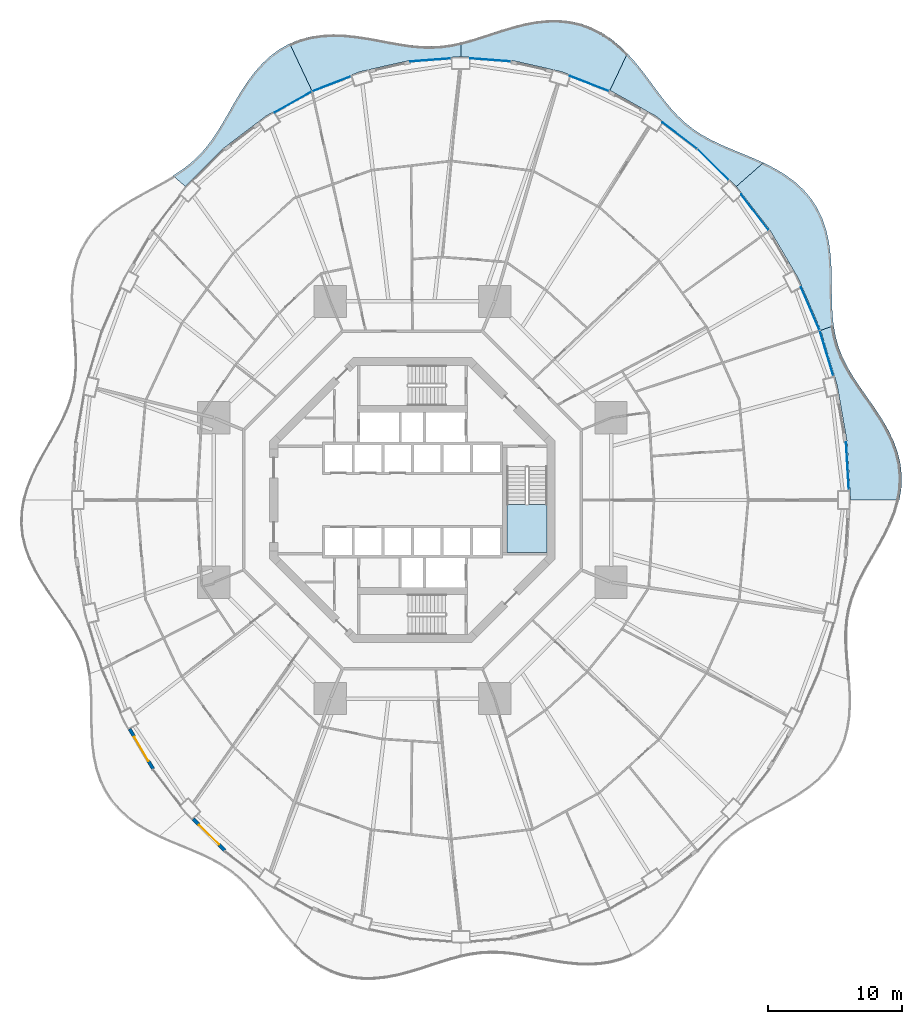
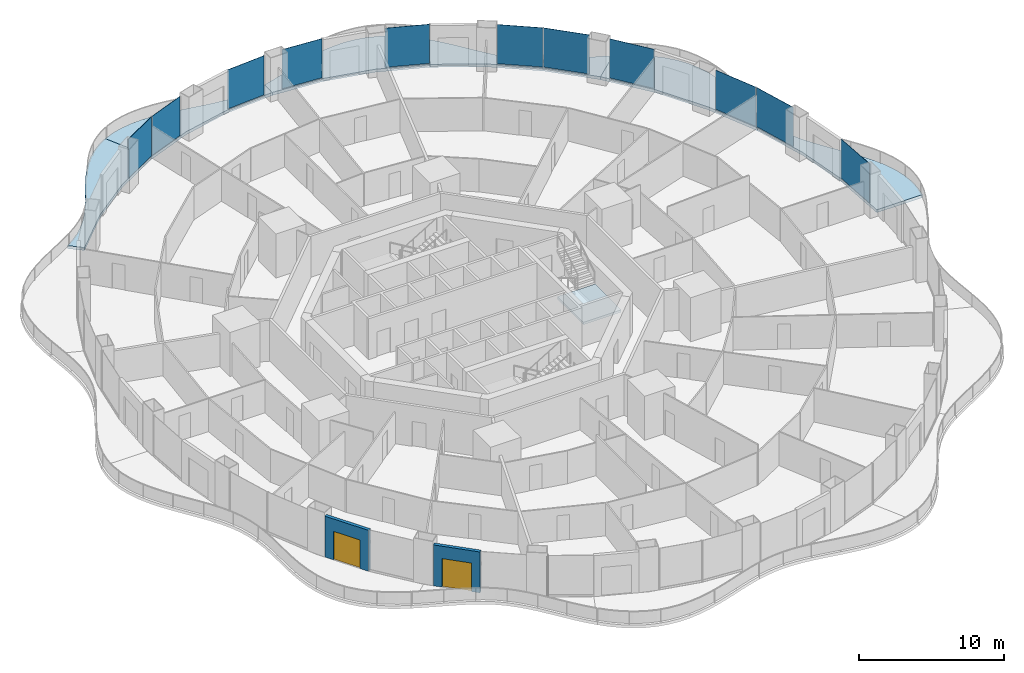
# One storey, part 13 of 22: 11 plates, 7 slabs, 2 doors, 2 walls, 2 openings, 12 elements without a shape of their own.
"""IFC4 building model written with IfcOpenShell, lengths in metres."""

from ifc_helpers import new_model, si_unit, direction, frame, frame_2d, origin, origin_2d, place, context, subcontext, project, spatial, polyline, rectangle, outline, extrude, material, layer, layer_set, type_object, element, fill, aggregate, save


model = new_model("IFC4")

# Units and contexts
model_context = context("Model", 3, precision=1e-05, world=origin(), true_north=direction((0.0, 1.0)))
body_context = subcontext(model_context, "Body", "Model", "MODEL_VIEW")
ifc_project = project(units=[si_unit("LENGTHUNIT", "METRE"), si_unit("AREAUNIT", "SQUARE_METRE"), si_unit("VOLUMEUNIT", "CUBIC_METRE"), si_unit("PLANEANGLEUNIT", "RADIAN"), si_unit("MASSUNIT", "GRAM", prefix="KILO")], contexts=[model_context])

# Site, building, storey
site_placement = place(None, origin())
site = spatial("IfcSite", under=ifc_project, at=site_placement, CompositionType="ELEMENT")
building_placement = place(site_placement, origin())
building = spatial("IfcBuilding", under=site, at=building_placement, Name="Nagisa Residences", CompositionType="ELEMENT")
storey_placement = place(building_placement, frame((0.0, 0.0, 30.699951171875)))
storey = spatial("IfcBuildingStorey", under=building, at=storey_placement, Name="L06", CompositionType="ELEMENT", Elevation=30.699951171875)

# Slabs
ifc_material_1 = material(Name="Concrete C40/50", Category="concrete")
ifc_layer_1 = layer(ifc_material_1, 0.25)
ifc_layer_set_1 = layer_set([ifc_layer_1], Name="BALCONY SLAB 250")
slab_type_1 = type_object("IfcSlabType", Name="BALCONY SLAB 250", PredefinedType="FLOOR", material=ifc_layer_set_1)
slab_1_placement = place(storey_placement, frame((0.0, 0.0, -0.25)))
element("IfcSlab", 1, at=slab_1_placement, inside=storey, type_object=slab_type_1, Name="slab:L06:bal00", PredefinedType="FLOOR", context=body_context, shape_type="SweptSolid", body=[
    extrude(outline(polyline([(36.23583984375, 0.0), (36.38134765625, 0.886474609375), (36.41162109375, 1.775146484375), (36.322265625, 2.6591796875), (36.116943359375, 3.531982421875), (35.80517578125, 4.3876953125), (35.4033203125, 5.222412109375), (34.931884765625, 6.0341796875), (34.41552734375, 6.822998046875), (33.880126953125, 7.591796875), (33.3515625, 8.34521484375), (32.853759765625, 9.09033203125), (32.406982421875, 9.83544921875), (32.026611328125, 10.588623046875), (31.721923828125, 11.3583984375), (31.49560546875, 12.152099609375), (31.34375, 12.974853515625), (30.392578125, 12.628662109375), (31.61181640625, 8.541015625), (32.351806640625, 4.307373046875), (32.60009765625, 0.0), (36.23583984375, 0.0)])), origin(), (0.0, 0.0, 1.0), 0.25),
])
slab_2_placement = place(storey_placement, frame((0.0, 0.0, -0.25)))
element("IfcSlab", 2, at=slab_2_placement, inside=storey, type_object=slab_type_1, Name="slab:L06:bal01", PredefinedType="FLOOR", context=body_context, shape_type="SweptSolid", body=[
    extrude(outline(polyline([(31.34375, 12.974853515625), (31.257568359375, 13.802490234375), (31.217041015625, 14.65966796875), (31.203369140625, 15.54296875), (31.196044921875, 16.44677734375), (31.172607421875, 17.361572265625), (31.111572265625, 18.27685546875), (30.99267578125, 19.18017578125), (30.799072265625, 20.058349609375), (30.518310546875, 20.8984375), (30.142578125, 21.689208984375), (29.669677734375, 22.4208984375), (29.102294921875, 23.087158203125), (28.44921875, 23.685302734375), (27.72265625, 24.21630859375), (26.93896484375, 24.68505859375), (26.1162109375, 25.100830078125), (24.106201171875, 23.33447265625), (26.607177734375, 20.089111328125), (28.71484375, 16.5), (30.392578125, 12.628662109375), (31.34375, 12.974853515625)])), origin(), (0.0, 0.0, 1.0), 0.25),
])
slab_3_placement = place(storey_placement, frame((0.0, 0.0, -0.25)))
element("IfcSlab", 3, at=slab_3_placement, inside=storey, type_object=slab_type_1, Name="slab:L06:bal02", PredefinedType="FLOOR", context=body_context, shape_type="SweptSolid", body=[
    extrude(outline(polyline([(26.1162109375, 25.100830078125), (25.3134765625, 25.459228515625), (24.509033203125, 25.793701171875), (23.718017578125, 26.118408203125), (22.953125, 26.448486328125), (22.223876953125, 26.798095703125), (21.536376953125, 27.18017578125), (20.89306640625, 27.60498046875), (20.292236328125, 28.080078125), (19.729248046875, 28.6083984375), (19.196044921875, 29.189697265625), (18.682373046875, 29.818603515625), (18.17626953125, 30.48583984375), (17.665771484375, 31.177978515625), (17.13818359375, 31.87939453125), (16.583251953125, 32.571044921875), (15.9921875, 33.23388671875), (14.69775390625, 30.488037109375), (18.10009765625, 28.578857421875), (21.254150390625, 26.1806640625), (24.106201171875, 23.33447265625), (26.1162109375, 25.100830078125)])), origin(), (0.0, 0.0, 1.0), 0.25),
])
slab_4_placement = place(storey_placement, frame((0.0, 0.0, -0.25)))
element("IfcSlab", 4, at=slab_4_placement, inside=storey, type_object=slab_type_1, Name="slab:L06:bal03", PredefinedType="FLOOR", context=body_context, shape_type="SweptSolid", body=[
    extrude(outline(polyline([(15.9921875, 33.23388671875), (15.3818359375, 33.827392578125), (14.72900390625, 34.359619140625), (14.033203125, 34.816650390625), (13.296142578125, 35.1875), (12.522705078125, 35.464111328125), (11.718994140625, 35.6435546875), (10.892578125, 35.726318359375), (10.05224609375, 35.718505859375), (9.206298828125, 35.62890625), (8.362548828125, 35.47119140625), (7.528076171875, 35.26123046875), (6.70751953125, 35.01708984375), (5.904541015625, 34.75732421875), (5.119873046875, 34.500732421875), (4.352783203125, 34.2646484375), (3.60009765625, 34.064208984375), (3.60009765625, 33.0), (7.38525390625, 32.7177734375), (11.105712890625, 31.87548828125), (14.69775390625, 30.488037109375), (15.9921875, 33.23388671875)])), origin(), (0.0, 0.0, 1.0), 0.25),
])
slab_5_placement = place(storey_placement, frame((0.0, 0.0, -0.25)))
element("IfcSlab", 5, at=slab_5_placement, inside=storey, type_object=slab_type_1, Name="slab:L06:bal04", PredefinedType="FLOOR", context=body_context, shape_type="SweptSolid", body=[
    extrude(outline(polyline([(3.60009765625, 34.064208984375), (2.857177734375, 33.9111328125), (2.118896484375, 33.81298828125), (1.378662109375, 33.7734375), (0.630615234375, 33.79150390625), (-0.13037109375, 33.861572265625), (-0.908203125, 33.973876953125), (-1.70556640625, 34.114990234375), (-2.5224609375, 34.26953125), (-3.35693359375, 34.419189453125), (-4.204833984375, 34.546142578125), (-5.0595703125, 34.632080078125), (-5.913818359375, 34.66064453125), (-6.758056640625, 34.61767578125), (-7.583251953125, 34.492431640625), (-8.3798828125, 34.277587890625), (-9.13916015625, 33.970458984375), (-7.497802734375, 30.488037109375), (-3.90576171875, 31.87548828125), (-0.185302734375, 32.7177734375), (3.60009765625, 33.0), (3.60009765625, 34.064208984375)])), origin(), (0.0, 0.0, 1.0), 0.25),
])
slab_6_placement = place(storey_placement, frame((0.0, 0.0, -0.25)))
element("IfcSlab", 6, at=slab_6_placement, inside=storey, type_object=slab_type_1, Name="slab:L06:bal05", PredefinedType="FLOOR", context=body_context, shape_type="SweptSolid", body=[
    extrude(outline(polyline([(-9.13916015625, 33.970458984375), (-9.880615234375, 33.555419921875), (-10.56884765625, 33.048095703125), (-11.2021484375, 32.459228515625), (-11.780517578125, 31.80224609375), (-12.308349609375, 31.093994140625), (-12.79296875, 30.35205078125), (-13.244140625, 29.595458984375), (-13.674072265625, 28.84130859375), (-14.09619140625, 28.105712890625), (-14.524658203125, 27.402099609375), (-14.97216796875, 26.740234375), (-15.450927734375, 26.126220703125), (-15.970458984375, 25.562255859375), (-16.53662109375, 25.04638671875), (-17.15185546875, 24.572998046875), (-17.815185546875, 24.13330078125), (-16.906005859375, 23.33447265625), (-14.05419921875, 26.1806640625), (-10.89990234375, 28.578857421875), (-7.497802734375, 30.488037109375), (-9.13916015625, 33.970458984375)])), origin(), (0.0, 0.0, 1.0), 0.25),
])

# Curtain wall, plate
ifc_material_2 = material(Name="Concrete-coloured aluminium curtain wall system", Category="concrete")
ifc_layer_2 = layer(ifc_material_2, 0.159912109375)
ifc_layer_set_2 = layer_set([ifc_layer_2], Name="CW1 CURTAIN WALL")
curtain_wall_type = type_object("IfcCurtainWallType", Name="CW1 CURTAIN WALL", PredefinedType="NOTDEFINED", material=ifc_layer_set_2)
curtain_wall_1_placement = place(storey_placement, origin())
curtain_wall_1 = element("IfcCurtainWall", 7, at=curtain_wall_1_placement, inside=storey, type_object=curtain_wall_type, Name="cw:CW1:L06:00", PredefinedType="NOTDEFINED")
ifc_material_3 = material(Name="Clear laminated glass", Category="glass")
ifc_layer_3 = layer(ifc_material_3, 0.028076171875)
ifc_layer_set_3 = layer_set([ifc_layer_3], Name="CW1 GLASS PANEL")
plate_type = type_object("IfcPlateType", Name="CW1 GLASS PANEL", PredefinedType="CURTAIN_PANEL", material=ifc_layer_set_3)
plate_1_placement = place(storey_placement, frame((32.374267578125, 2.528564453125, 0.150146484375), z_axis=(0.0, 0.0, 1.0), x_axis=(-0.057503492216, 0.998345305184, 0.0)))
plate_1 = element("IfcPlate", 8, at=plate_1_placement, type_object=plate_type, Name="CW1 panel", PredefinedType="CURTAIN_PANEL", context=body_context, shape_type="SweptSolid", body=[
    extrude(rectangle(XDim=3.554443359375, YDim=0.028076171875, at=origin_2d()), origin(), (0.0, 0.0, 1.0), 3.2900390625),
])
aggregate(curtain_wall_1, [plate_1])

curtain_wall_2_placement = place(storey_placement, origin())
curtain_wall_2 = element("IfcCurtainWall", 9, at=curtain_wall_2_placement, inside=storey, type_object=curtain_wall_type, Name="cw:CW1:L06:02", PredefinedType="NOTDEFINED")
plate_2_placement = place(storey_placement, frame((30.81689453125, 10.926025390625, 0.150146484375), z_axis=(0.0, 0.0, 1.0), x_axis=(-0.285860274038, 0.958271310082, 0.0)))
plate_2 = element("IfcPlate", 10, at=plate_2_placement, type_object=plate_type, Name="CW1 panel", PredefinedType="CURTAIN_PANEL", context=body_context, shape_type="SweptSolid", body=[
    extrude(rectangle(XDim=3.505615234375, YDim=0.028076171875, at=origin_2d()), origin(), (0.0, 0.0, 1.0), 3.2900390625),
])
aggregate(curtain_wall_2, [plate_2])

curtain_wall_3_placement = place(storey_placement, origin())
curtain_wall_3 = element("IfcCurtainWall", 11, at=curtain_wall_3_placement, inside=storey, type_object=curtain_wall_type, Name="cw:CW1:L06:03", PredefinedType="NOTDEFINED")
plate_3_placement = place(storey_placement, frame((29.607421875, 14.23876953125, 0.150146484375), z_axis=(0.0, 0.0, 1.0), x_axis=(-0.397635934147, 0.917543276295, 0.0)))
plate_3 = element("IfcPlate", 12, at=plate_3_placement, type_object=plate_type, Name="CW1 panel", PredefinedType="CURTAIN_PANEL", context=body_context, shape_type="SweptSolid", body=[
    extrude(rectangle(XDim=3.45947265625, YDim=0.028076171875, at=origin_2d()), origin(), (0.0, 0.0, 1.0), 3.2900390625),
])
aggregate(curtain_wall_3, [plate_3])

curtain_wall_4_placement = place(storey_placement, origin())
curtain_wall_4 = element("IfcCurtainWall", 13, at=curtain_wall_4_placement, inside=storey, type_object=curtain_wall_type, Name="cw:CW1:L06:05", PredefinedType="NOTDEFINED")
plate_4_placement = place(storey_placement, frame((25.488525390625, 21.409423828125, 0.150146484375), z_axis=(0.0, 0.0, 1.0), x_axis=(-0.610429828235, 0.792070340816, 0.0)))
plate_4 = element("IfcPlate", 14, at=plate_4_placement, type_object=plate_type, Name="CW1 panel", PredefinedType="CURTAIN_PANEL", context=body_context, shape_type="SweptSolid", body=[
    extrude(rectangle(XDim=3.33740234375, YDim=0.028076171875, at=origin_2d()), origin(), (0.0, 0.0, 1.0), 3.2900390625),
])
aggregate(curtain_wall_4, [plate_4])

curtain_wall_5_placement = place(storey_placement, origin())
curtain_wall_5 = element("IfcCurtainWall", 15, at=curtain_wall_5_placement, inside=storey, type_object=curtain_wall_type, Name="cw:CW1:L06:06", PredefinedType="NOTDEFINED")
plate_5_placement = place(storey_placement, frame((22.3544921875, 24.969482421875, 0.150146484375), z_axis=(0.0, 0.0, 1.0), x_axis=(-0.707835924016, 0.706376885714, 0.0)))
plate_5 = element("IfcPlate", 16, at=plate_5_placement, type_object=plate_type, Name="CW1 panel", PredefinedType="CURTAIN_PANEL", context=body_context, shape_type="SweptSolid", body=[
    extrude(rectangle(XDim=3.269287109375, YDim=0.028076171875, at=origin_2d()), origin(), (0.0, 0.0, 1.0), 3.2900390625),
])
aggregate(curtain_wall_5, [plate_5])

curtain_wall_6_placement = place(storey_placement, origin())
curtain_wall_6 = element("IfcCurtainWall", 17, at=curtain_wall_6_placement, inside=storey, type_object=curtain_wall_type, Name="cw:CW1:L06:07", PredefinedType="NOTDEFINED")
plate_6_placement = place(storey_placement, frame((19.88330078125, 27.122314453125, 0.150146484375), z_axis=(0.0, 0.0, 1.0), x_axis=(-0.79603132756, 0.605255421737, 0.0)))
plate_6 = element("IfcPlate", 18, at=plate_6_placement, type_object=plate_type, Name="CW1 panel", PredefinedType="CURTAIN_PANEL", context=body_context, shape_type="SweptSolid", body=[
    extrude(rectangle(XDim=3.2021484375, YDim=0.028076171875, at=origin_2d()), origin(), (0.0, 0.0, 1.0), 3.2900390625),
])
aggregate(curtain_wall_6, [plate_6])

curtain_wall_7_placement = place(storey_placement, origin())
curtain_wall_7 = element("IfcCurtainWall", 19, at=curtain_wall_7_placement, inside=storey, type_object=curtain_wall_type, Name="cw:CW1:L06:09", PredefinedType="NOTDEFINED")
plate_7_placement = place(storey_placement, frame((13.17138671875, 30.991943359375, 0.150146484375), z_axis=(0.0, 0.0, 1.0), x_axis=(-0.932825759707, 0.360327770268, 0.0)))
plate_7 = element("IfcPlate", 20, at=plate_7_placement, type_object=plate_type, Name="CW1 panel", PredefinedType="CURTAIN_PANEL", context=body_context, shape_type="SweptSolid", body=[
    extrude(rectangle(XDim=3.0908203125, YDim=0.028076171875, at=origin_2d()), origin(), (0.0, 0.0, 1.0), 3.2900390625),
])
aggregate(curtain_wall_7, [plate_7])

curtain_wall_8_placement = place(storey_placement, origin())
curtain_wall_8 = element("IfcCurtainWall", 21, at=curtain_wall_8_placement, inside=storey, type_object=curtain_wall_type, Name="cw:CW1:L06:11", PredefinedType="NOTDEFINED")
plate_8_placement = place(storey_placement, frame((5.805908203125, 32.75537109375, 0.150146484375), z_axis=(0.0, 0.0, 1.0), x_axis=(-0.997230168512, 0.074377355493, 0.0)))
plate_8 = element("IfcPlate", 22, at=plate_8_placement, type_object=plate_type, Name="CW1 panel", PredefinedType="CURTAIN_PANEL", context=body_context, shape_type="SweptSolid", body=[
    extrude(rectangle(XDim=3.035888671875, YDim=0.028076171875, at=origin_2d()), origin(), (0.0, 0.0, 1.0), 3.2900390625),
])
aggregate(curtain_wall_8, [plate_8])

curtain_wall_9_placement = place(storey_placement, origin())
curtain_wall_9 = element("IfcCurtainWall", 23, at=curtain_wall_9_placement, inside=storey, type_object=curtain_wall_type, Name="cw:CW1:L06:12", PredefinedType="NOTDEFINED")
plate_9_placement = place(storey_placement, frame((1.33447265625, 32.750732421875, 0.150146484375), z_axis=(0.0, 0.0, 1.0), x_axis=(-0.997230168512, -0.074377355493, 0.0)))
plate_9 = element("IfcPlate", 24, at=plate_9_placement, type_object=plate_type, Name="CW1 panel", PredefinedType="CURTAIN_PANEL", context=body_context, shape_type="SweptSolid", body=[
    extrude(rectangle(XDim=3.035888671875, YDim=0.028076171875, at=origin_2d()), origin(), (0.0, 0.0, 1.0), 3.2900390625),
])
aggregate(curtain_wall_9, [plate_9])

curtain_wall_10_placement = place(storey_placement, origin())
curtain_wall_10 = element("IfcCurtainWall", 25, at=curtain_wall_10_placement, inside=storey, type_object=curtain_wall_type, Name="cw:CW1:L06:14", PredefinedType="NOTDEFINED")
plate_10_placement = place(storey_placement, frame((-6.02734375, 30.97021484375, 0.150146484375), z_axis=(0.0, 0.0, 1.0), x_axis=(-0.932825759707, -0.360327770268, 0.0)))
plate_10 = element("IfcPlate", 26, at=plate_10_placement, type_object=plate_type, Name="CW1 panel", PredefinedType="CURTAIN_PANEL", context=body_context, shape_type="SweptSolid", body=[
    extrude(rectangle(XDim=3.0908203125, YDim=0.028076171875, at=origin_2d()), origin(), (0.0, 0.0, 1.0), 3.2900390625),
])
aggregate(curtain_wall_10, [plate_10])

curtain_wall_11_placement = place(storey_placement, origin())
curtain_wall_11 = element("IfcCurtainWall", 27, at=curtain_wall_11_placement, inside=storey, type_object=curtain_wall_type, Name="cw:CW1:L06:15", PredefinedType="NOTDEFINED")
plate_11_placement = place(storey_placement, frame((-8.880615234375, 29.620361328125, 0.150146484375), z_axis=(0.0, 0.0, 1.0), x_axis=(-0.872072377523, -0.489376918501, 0.0)))
plate_11 = element("IfcPlate", 28, at=plate_11_placement, type_object=plate_type, Name="CW1 panel", PredefinedType="CURTAIN_PANEL", context=body_context, shape_type="SweptSolid", body=[
    extrude(rectangle(XDim=3.141357421875, YDim=0.028076171875, at=origin_2d()), origin(), (0.0, 0.0, 1.0), 3.2900390625),
])
aggregate(curtain_wall_11, [plate_11])

# Stair, slab
ifc_material_4 = material(Name="Concrete C60", Category="concrete")
stair_type = type_object("IfcStairType", Name="Exit stair", PredefinedType="HALF_TURN_STAIR", material=ifc_material_4)
stair_placement = place(storey_placement, origin())
stair = element("IfcStair", 29, at=stair_placement, inside=storey, type_object=stair_type, Name="L06 Exit stair E", PredefinedType="HALF_TURN_STAIR")
ifc_material_5 = material(Name="Concrete C60", Category="concrete")
ifc_layer_4 = layer(ifc_material_5, 0.199951171875)
ifc_layer_set_4 = layer_set([ifc_layer_4], Name="Stair landing")
slab_type_2 = type_object("IfcSlabType", Name="Stair landing", PredefinedType="LANDING", material=ifc_layer_set_4)
slab_7_placement = place(storey_placement, frame((0.0, 0.0, 1.650146484375)))
slab_7 = element("IfcSlab", 30, at=slab_7_placement, type_object=slab_type_2, Name="ST-E landing 1", PredefinedType="LANDING", context=body_context, shape_type="SweptSolid", body=[
    extrude(outline(polyline([(7.024658203125, -0.324951171875), (7.024658203125, -3.89990234375), (10.024658203125, -3.89990234375), (10.024658203125, -0.324951171875), (7.024658203125, -0.324951171875)])), origin(), (0.0, 0.0, 1.0), 0.199951171875),
])
aggregate(stair, [slab_7])

# Wall, opening, door
ifc_material_6 = material(Name="Precast concrete C40/50", Category="concrete")
ifc_layer_5 = layer(ifc_material_6, 0.25)
ifc_layer_set_5 = layer_set([ifc_layer_5], Name="BALCONY DOOR WALL 250")
wall_type = type_object("IfcWallType", Name="BALCONY DOOR WALL 250", PredefinedType="SOLIDWALL", material=ifc_layer_set_5)
wall_1_placement = place(storey_placement, frame((-19.299560546875, -20.02587890625, 0.0), z_axis=(0.0, 0.0, 1.0), x_axis=(-0.506311160839, 0.862350861546, 0.0)))
wall_1 = element("IfcWall", 31, at=wall_1_placement, inside=storey, type_object=wall_type, Name="wall:L06:bay28", PredefinedType="SOLIDWALL", context=body_context, shape_type="SweptSolid", body=[
    extrude(rectangle(XDim=3.462158203125, YDim=0.25, at=frame_2d((1.73095703125, 0.0))), origin(), (0.0, 0.0, 1.0), 3.43994140625),
])
opening_1_placement = place(wall_1_placement, frame((0.68115234375, 0.0, 0.0)))
opening_1 = element("IfcOpeningElement", 32, at=opening_1_placement, cuts=wall_1, Name="Opening BD-L06-10", PredefinedType="OPENING", context=body_context, shape_type="SweptSolid", body=[
    extrude(rectangle(XDim=2.10009765625, YDim=2.39990234375, at=frame_2d((1.050048828125, 1.199951171875))), frame((0.0, 0.135009765625, 0.0), z_axis=(0.0, -1.0, 0.0), x_axis=(1.0, 0.0, 0.0)), (0.0, 0.0, 1.0), 0.27001953125),
])
ifc_material_7 = material(Name="Aluminium and clear glass", Category="aluminium")
door_type = type_object("IfcDoorType", Name="BALCONY SLIDING DOOR 2100x2400", OperationType="SLIDING_TO_LEFT", PredefinedType="DOOR", material=ifc_material_7)
door_1_placement = place(opening_1_placement, origin())
door_1 = element("IfcDoor", 33, at=door_1_placement, inside=storey, type_object=door_type, Name="door:L06:bay28", OperationType="SLIDING_TO_LEFT", OverallHeight=2.39990234375, OverallWidth=2.10009765625, PredefinedType="DOOR", context=body_context, shape_type="SweptSolid", body=[
    extrude(rectangle(XDim=2.10009765625, YDim=2.39990234375, at=frame_2d((1.050048828125, 1.199951171875))), frame((0.0, 0.02490234375, 0.0), z_axis=(0.0, -1.0, 0.0), x_axis=(1.0, 0.0, 0.0)), (0.0, 0.0, 1.0), 0.050048828125),
])
fill(opening_1, door_1)

wall_2_placement = place(storey_placement, frame((-13.9658203125, -26.09228515625, 0.0), z_axis=(0.0, 0.0, 1.0), x_axis=(-0.707803094595, 0.706409781417, 0.0)))
wall_2 = element("IfcWall", 34, at=wall_2_placement, inside=storey, type_object=wall_type, Name="wall:L06:bay30", PredefinedType="SOLIDWALL", context=body_context, shape_type="SweptSolid", body=[
    extrude(rectangle(XDim=3.329345703125, YDim=0.25, at=frame_2d((1.66455078125, 0.0))), origin(), (0.0, 0.0, 1.0), 3.43994140625),
])
opening_2_placement = place(wall_2_placement, frame((0.614501953125, 0.0, 0.0)))
opening_2 = element("IfcOpeningElement", 35, at=opening_2_placement, cuts=wall_2, Name="Opening BD-L06-11", PredefinedType="OPENING", context=body_context, shape_type="SweptSolid", body=[
    extrude(rectangle(XDim=2.10009765625, YDim=2.39990234375, at=frame_2d((1.050048828125, 1.199951171875))), frame((0.0, 0.135009765625, 0.0), z_axis=(0.0, -1.0, 0.0), x_axis=(1.0, 0.0, 0.0)), (0.0, 0.0, 1.0), 0.27001953125),
])
door_2_placement = place(opening_2_placement, origin())
door_2 = element("IfcDoor", 36, at=door_2_placement, inside=storey, type_object=door_type, Name="door:L06:bay30", OperationType="SLIDING_TO_LEFT", OverallHeight=2.39990234375, OverallWidth=2.10009765625, PredefinedType="DOOR", context=body_context, shape_type="SweptSolid", body=[
    extrude(rectangle(XDim=2.10009765625, YDim=2.39990234375, at=frame_2d((1.050048828125, 1.199951171875))), frame((0.0, 0.02490234375, 0.0), z_axis=(0.0, -1.0, 0.0), x_axis=(1.0, 0.0, 0.0)), (0.0, 0.0, 1.0), 0.050048828125),
])
fill(opening_2, door_2)

save(model, "model.ifc")
